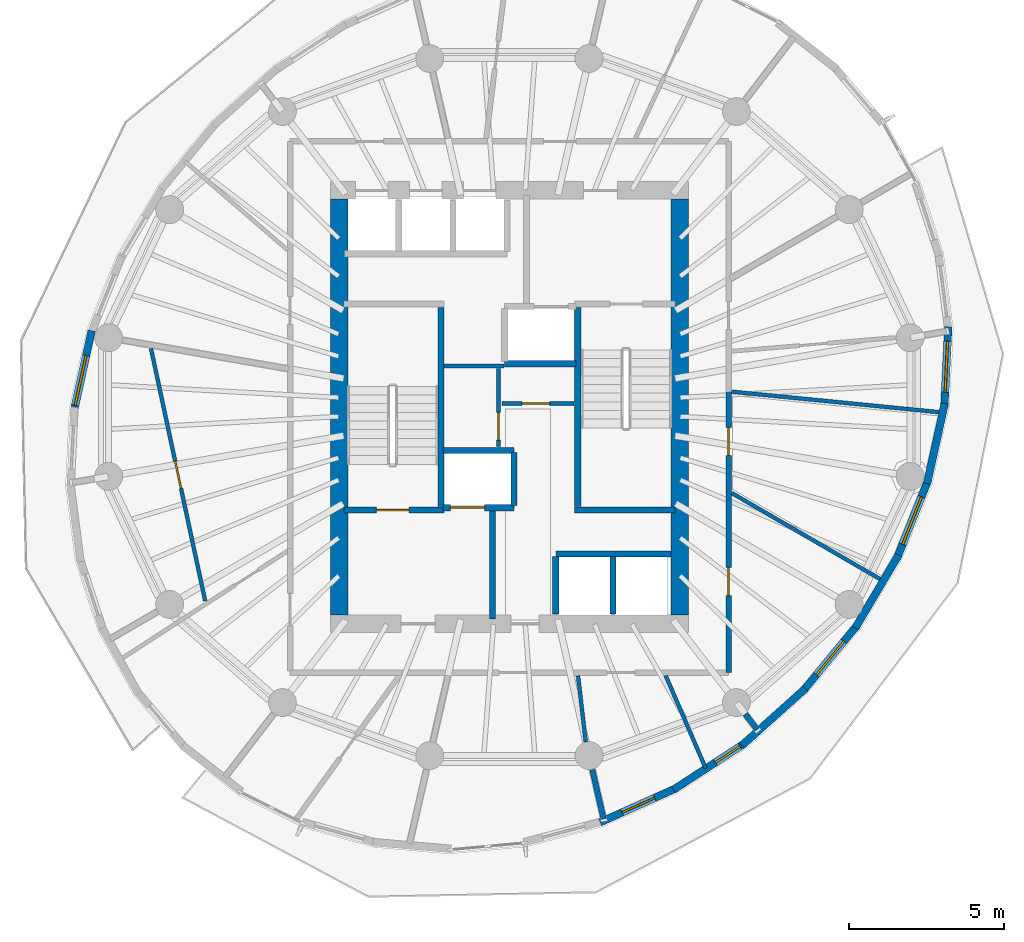
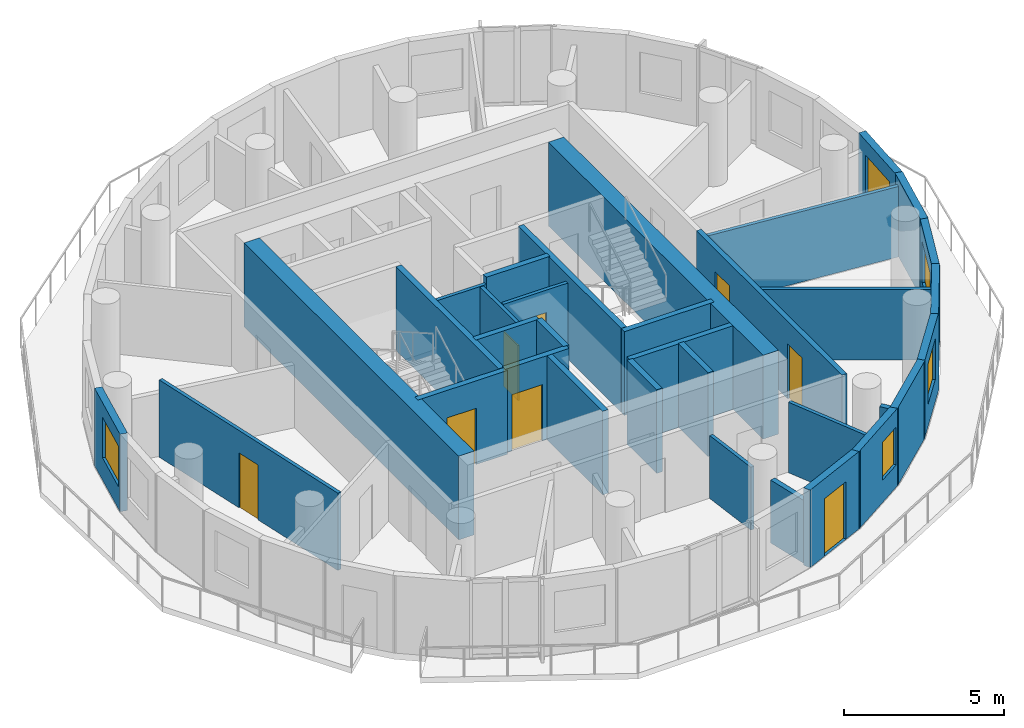
# One storey, part 5 of 10: 34 walls, 8 doors, 5 windows, 13 openings.
"""IFC4 building model written with IfcOpenShell, lengths in metres."""

import ifcopenshell
import ifcopenshell.guid

model = None  # the IFC model being written
_history = None  # IfcOwnerHistory: only IFC2X3 demands one
_inside = {}  # id of a spatial element -> (the spatial element, [elements in it])
_under = {}  # id of a project, library or spatial element -> (it, [spatial elements below it])
_declared = {}  # id of a project -> (the project, [libraries it declares])
_typed = {}  # id of a type object -> (the type object, [elements of that type])
_made_of = {}  # id of a material, layer set ... -> (it, [elements and type objects made of it])


def new_model(schema):
    """Start an empty IFC model of exactly this schema.

    Asked for "IFC4X3", IfcOpenShell would pick the latest addendum, in which some entities
    have other attributes; the version numbers below select the first issue.
    IFC2X3 requires an IfcOwnerHistory on every rooted entity: one is made here for all.
    """
    global model, _history
    if schema == "IFC4X3":
        model = ifcopenshell.file(schema_version=(4, 3, 0, 0))
    else:
        model = ifcopenshell.file(schema=schema)
    _inside.clear()
    _under.clear()
    _declared.clear()
    _typed.clear()
    _made_of.clear()
    _history = None
    if model.schema == "IFC2X3":
        org = make("IfcOrganization", Name="unknown")
        user = make(
            "IfcPersonAndOrganization",
            ThePerson=make("IfcPerson", FamilyName="unknown"),
            TheOrganization=org,
        )
        app = make(
            "IfcApplication",
            ApplicationDeveloper=org,
            Version="unknown",
            ApplicationFullName="unknown",
            ApplicationIdentifier="unknown",
        )
        _history = make(
            "IfcOwnerHistory",
            OwningUser=user,
            OwningApplication=app,
            ChangeAction="ADDED",
            CreationDate=0,
        )
    return model


def make(cls, **values):
    """One entity of the class cls with the attributes given. An attribute that is None is left unset."""
    return model.create_entity(
        cls, **{name: value for name, value in values.items() if value is not None}
    )


def rooted(cls, **values):
    """An entity with a GlobalId (a new one), such as an element, a storey or a relation."""
    return make(cls, GlobalId=ifcopenshell.guid.new(), OwnerHistory=_history, **values)


def si_unit(unit_type, name, prefix=None):
    """IfcSIUnit, for example si_unit("LENGTHUNIT", "METRE", prefix="MILLI")."""
    return make("IfcSIUnit", UnitType=unit_type, Prefix=prefix, Name=name)


def assignment(units):
    """IfcUnitAssignment: the units of a project."""
    return None if units is None else make("IfcUnitAssignment", Units=units)


def point(xyz):
    """IfcCartesianPoint."""
    return None if xyz is None else make("IfcCartesianPoint", Coordinates=xyz)


def direction(xyz):
    """IfcDirection."""
    return None if xyz is None else make("IfcDirection", DirectionRatios=xyz)


def frame(location, z_axis=None, x_axis=None):
    """IfcAxis2Placement3D, a coordinate frame: its origin and axes. An axis left out is left unset."""
    return make(
        "IfcAxis2Placement3D",
        Location=point(location),
        Axis=direction(z_axis),
        RefDirection=direction(x_axis),
    )


def frame_2d(location, x_axis=None):
    """IfcAxis2Placement2D, a coordinate frame in the plane: its origin and x axis."""
    return make(
        "IfcAxis2Placement2D", Location=point(location), RefDirection=direction(x_axis)
    )


def origin():
    """The frame at (0, 0, 0) with its axes left unset."""
    return frame((0.0, 0.0, 0.0))


def place(relative_to, where):
    """IfcLocalPlacement: puts the frame where relative to a parent placement (None: the world)."""
    return make(
        "IfcLocalPlacement", PlacementRelTo=relative_to, RelativePlacement=where
    )


def context(
    kind, dimensions, precision=None, world=None, true_north=None, identifier=None
):
    """IfcGeometricRepresentationContext, for example the 3D "Model" context."""
    return make(
        "IfcGeometricRepresentationContext",
        ContextIdentifier=identifier,
        ContextType=kind,
        CoordinateSpaceDimension=dimensions,
        Precision=precision,
        WorldCoordinateSystem=world,
        TrueNorth=true_north,
    )


def subcontext(parent, identifier, kind, view, scale=None):
    """IfcGeometricRepresentationSubContext, for example "Body" below "Model"."""
    return make(
        "IfcGeometricRepresentationSubContext",
        ContextIdentifier=identifier,
        ContextType=kind,
        ParentContext=parent,
        TargetScale=scale,
        TargetView=view,
    )


def project(units=None, contexts=None):
    """IfcProject with its units and contexts."""
    return rooted(
        "IfcProject",
        Name="project",
        RepresentationContexts=contexts,
        UnitsInContext=assignment(units),
    )


def spatial(cls, under=None, at=None, **own):
    """A site, building, storey or space (cls), placed at a placement, below another one or the project."""
    s = rooted(cls, ObjectPlacement=at, **own)
    if under is not None:
        _under.setdefault(under.id(), (under, []))[1].append(s)
    return s


def profile(cls, at=None, kind="AREA", **sizes):
    """A parametric profile (cls). Its sizes go by their IFC names, for example OverallWidth=200.0."""
    return make(cls, ProfileType=kind, Position=at, **sizes)


def rectangle(**sizes):
    """IfcRectangleProfileDef."""
    return profile("IfcRectangleProfileDef", **sizes)


def extrude(swept, where, along, depth):
    """IfcExtrudedAreaSolid: the profile swept, set in the frame where, extruded along a direction by depth."""
    return make(
        "IfcExtrudedAreaSolid",
        SweptArea=swept,
        Position=where,
        ExtrudedDirection=direction(along),
        Depth=depth,
    )


def shape(context_of_items, identifier, shape_type, items):
    """IfcShapeRepresentation: the items that make up one representation, for example the "Body"."""
    return make(
        "IfcShapeRepresentation",
        ContextOfItems=context_of_items,
        RepresentationIdentifier=identifier,
        RepresentationType=shape_type,
        Items=items,
    )


def material(Name=None, Category=None):
    """IfcMaterial."""
    return make("IfcMaterial", Name=Name, Category=Category)


def layer(
    of_material, thickness, ventilated=None, Name=None, Category=None, Priority=None
):
    """IfcMaterialLayer: one layer of a wall or slab, of a material (None: an air gap)."""
    return make(
        "IfcMaterialLayer",
        Material=of_material,
        LayerThickness=thickness,
        IsVentilated=ventilated,
        Name=Name,
        Category=Category,
        Priority=Priority,
    )


def layer_set(layers, Name=None):
    """IfcMaterialLayerSet."""
    return make("IfcMaterialLayerSet", MaterialLayers=layers, LayerSetName=Name)


def made_of(thing, what):
    """Note that an element or type object is made of a material, layer set ...; save() writes the relation."""
    if what is not None:
        _made_of.setdefault(what.id(), (what, []))[1].append(thing)
    return thing


def type_object(cls, material=None, **own):
    """A type object (cls), such as IfcWallType, which elements share."""
    return made_of(rooted(cls, **own), material)


def element(
    cls,
    number,
    at=None,
    inside=None,
    cuts=None,
    type_object=None,
    material=None,
    context=None,
    identifier="Body",
    shape_type=None,
    held_by="IfcProductDefinitionShape",
    body=None,
    shapes=None,
    **own,
):
    """One element of the class cls, such as IfcWall. Its Tag is "e" and its number.

    at: its placement. inside: the storey or other place that contains it. cuts: it is an
    opening in that element (IfcRelVoidsElement). A single representation is given by context,
    identifier, shape_type and body (its items); several are given by shapes. held_by: the class
    of the entity that holds the representations. save() writes the other relations.
    """
    e = rooted(cls, Tag="e%d" % number, ObjectPlacement=at, **own)
    if body is not None:
        shapes = [shape(context, identifier, shape_type, body)]
    if shapes is not None:
        e.Representation = make(held_by, Representations=shapes)
    if inside is not None:
        _inside.setdefault(inside.id(), (inside, []))[1].append(e)
    if cuts is not None:
        rooted(
            "IfcRelVoidsElement", RelatingBuildingElement=cuts, RelatedOpeningElement=e
        )
    if type_object is not None:
        _typed.setdefault(type_object.id(), (type_object, []))[1].append(e)
    return made_of(e, material)


def fill(opening, filler):
    """IfcRelFillsElement: the door or window that sits in an opening."""
    return rooted(
        "IfcRelFillsElement",
        RelatingOpeningElement=opening,
        RelatedBuildingElement=filler,
    )


def aggregate(whole, parts):
    """IfcRelAggregates: a whole, such as a stair, and the parts it consists of."""
    return rooted("IfcRelAggregates", RelatingObject=whole, RelatedObjects=parts)


def save(model, path):
    """Write the relations noted so far, then the file.

    IfcRelAggregates (storeys below a building ...), IfcRelContainedInSpatialStructure (elements
    in a storey), IfcRelDefinesByType, IfcRelAssociatesMaterial and IfcRelDeclares: one each for
    every whole, place, type object, material and project.
    """
    for whole, parts in _under.values():
        aggregate(whole, parts)
    for where, things in _inside.values():
        rooted(
            "IfcRelContainedInSpatialStructure",
            RelatedElements=things,
            RelatingStructure=where,
        )
    for kind, things in _typed.values():
        rooted("IfcRelDefinesByType", RelatedObjects=things, RelatingType=kind)
    for what, things in _made_of.values():
        rooted("IfcRelAssociatesMaterial", RelatedObjects=things, RelatingMaterial=what)
    for by, libraries in _declared.values():
        rooted("IfcRelDeclares", RelatingContext=by, RelatedDefinitions=libraries)
    model.write(path)


model = new_model("IFC4")

# Units and contexts
model_context = context("Model", 3, precision=1e-05, world=origin(), true_north=direction((0.0, 1.0)))
body_context = subcontext(model_context, "Body", "Model", "MODEL_VIEW")
ifc_project = project(units=[si_unit("LENGTHUNIT", "METRE"), si_unit("AREAUNIT", "SQUARE_METRE"), si_unit("VOLUMEUNIT", "CUBIC_METRE"), si_unit("PLANEANGLEUNIT", "RADIAN"), si_unit("MASSUNIT", "GRAM", prefix="KILO")], contexts=[model_context])

# Site, building, storey
site_placement = place(None, origin())
site = spatial("IfcSite", under=ifc_project, at=site_placement, CompositionType="ELEMENT")
building_placement = place(site_placement, origin())
building = spatial("IfcBuilding", under=site, at=building_placement, Name="Veldorim Arch Residences", CompositionType="ELEMENT")
storey_placement = place(building_placement, frame((0.0, 0.0, 185.43994140625)))
storey = spatial("IfcBuildingStorey", under=building, at=storey_placement, Name="L55", CompositionType="ELEMENT", Elevation=185.43994140625)

# Wall, opening, door
ifc_material_1 = material(Name="Acoustic Gypsum Board", Category="gypsum")
ifc_layer_1 = layer(ifc_material_1, 0.125, Name="Acoustic Stud Room Partition Wall 125")
ifc_layer_set_1 = layer_set([ifc_layer_1], Name="Acoustic Gypsum Board")
wall_type_1 = type_object("IfcWallType", Name="Acoustic Stud Room Partition Wall 125", PredefinedType="PARTITIONING", material=ifc_layer_set_1)
wall_1_placement = place(storey_placement, frame((31.64990234375, 22.719970703125, 0.0), z_axis=(0.0, 0.0, 1.0), x_axis=(0.0, 1.0, 0.0)))
wall_1 = element("IfcWall", 1, at=wall_1_placement, inside=storey, type_object=wall_type_1, Name="L55 interior wall WL-CA-L55-1", PredefinedType="PARTITIONING", context=body_context, shape_type="SweptSolid", body=[
    extrude(rectangle(XDim=2.52001953125, YDim=0.125, at=frame_2d((1.260009765625, 0.0))), origin(), (0.0, 0.0, 1.0), 2.955078125),
])
opening_1_placement = place(wall_1_placement, frame((0.2099609375, 0.0, 0.0)))
opening_1 = element("IfcOpeningElement", 2, at=opening_1_placement, cuts=wall_1, Name="Opening DR-SVC", PredefinedType="OPENING", context=body_context, shape_type="SweptSolid", body=[
    extrude(rectangle(XDim=0.89990234375, YDim=2.10009765625, at=frame_2d((0.449951171875, 1.050048828125))), frame((0.0, 0.072509765625, 0.0), z_axis=(0.0, -1.0, 0.0), x_axis=(1.0, 0.0, 0.0)), (0.0, 0.0, 1.0), 0.14501953125),
])
ifc_material_2 = material(Name="Fire-Rated Steel", Category="steel")
door_type_1 = type_object("IfcDoorType", Name="Riser, Shelter & Plant Room Rated Steel Door 900x2100", OperationType="SINGLE_SWING_LEFT", PredefinedType="DOOR", material=ifc_material_2)
door_1_placement = place(opening_1_placement, origin())
door_1 = element("IfcDoor", 3, at=door_1_placement, inside=storey, type_object=door_type_1, Name="L55 interior door DR-L55-CA1", OperationType="SINGLE_SWING_LEFT", OverallHeight=2.10009765625, OverallWidth=0.89990234375, PredefinedType="DOOR", context=body_context, shape_type="SweptSolid", body=[
    extrude(rectangle(XDim=0.89990234375, YDim=2.10009765625, at=frame_2d((0.449951171875, 1.050048828125))), frame((0.0, 0.02490234375, 0.0), z_axis=(0.0, -1.0, 0.0), x_axis=(1.0, 0.0, 0.0)), (0.0, 0.0, 1.0), 0.050048828125),
])
fill(opening_1, door_1)

wall_2_placement = place(storey_placement, frame((31.760009765625, 24.1201171875, 0.0), z_axis=(0.0, 0.0, 1.0), x_axis=(1.0, 0.0, 0.0)))
wall_2 = element("IfcWall", 4, at=wall_2_placement, inside=storey, type_object=wall_type_1, Name="L55 interior wall WL-CA-L55-2", PredefinedType="PARTITIONING", context=body_context, shape_type="SweptSolid", body=[
    extrude(rectangle(XDim=2.320068359375, YDim=0.125, at=frame_2d((1.16015625, 0.0))), origin(), (0.0, 0.0, 1.0), 2.955078125),
])
opening_2_placement = place(wall_2_placement, frame((0.639892578125, 0.0, 0.0)))
opening_2 = element("IfcOpeningElement", 5, at=opening_2_placement, cuts=wall_2, Name="Opening DR-SVC", PredefinedType="OPENING", context=body_context, shape_type="SweptSolid", body=[
    extrude(rectangle(XDim=0.89990234375, YDim=2.10009765625, at=frame_2d((0.449951171875, 1.050048828125))), frame((0.0, 0.072509765625, 0.0), z_axis=(0.0, -1.0, 0.0), x_axis=(1.0, 0.0, 0.0)), (0.0, 0.0, 1.0), 0.14501953125),
])
door_2_placement = place(opening_2_placement, origin())
door_2 = element("IfcDoor", 6, at=door_2_placement, inside=storey, type_object=door_type_1, Name="L55 interior door DR-L55-CA2", OperationType="SINGLE_SWING_RIGHT", OverallHeight=2.10009765625, OverallWidth=0.89990234375, PredefinedType="DOOR", context=body_context, shape_type="SweptSolid", body=[
    extrude(rectangle(XDim=0.89990234375, YDim=2.10009765625, at=frame_2d((0.449951171875, 1.050048828125))), frame((0.0, 0.02490234375, 0.0), z_axis=(0.0, -1.0, 0.0), x_axis=(1.0, 0.0, 0.0)), (0.0, 0.0, 1.0), 0.050048828125),
])
fill(opening_2, door_2)

# Walls
wall_3_placement = place(storey_placement, frame((29.889892578125, 25.330078125, 0.0), z_axis=(0.0, 0.0, 1.0), x_axis=(1.0, 0.0, 0.0)))
element("IfcWall", 7, at=wall_3_placement, inside=storey, type_object=wall_type_1, Name="L55 interior wall WL-CA-L55-N", PredefinedType="PARTITIONING", context=body_context, shape_type="SweptSolid", body=[
    extrude(rectangle(XDim=1.940185546875, YDim=0.125, at=frame_2d((0.97021484375, 0.0))), origin(), (0.0, 0.0, 1.0), 2.955078125),
])
wall_4_placement = place(storey_placement, frame((44.06591796875, 18.390380859375, 0.0), z_axis=(0.0, 0.0, 1.0), x_axis=(-0.865092390625, 0.501612555348, 0.0)))
element("IfcWall", 8, at=wall_4_placement, inside=storey, type_object=wall_type_1, Name="L55 interior wall WL-RES-L55-010", PredefinedType="PARTITIONING", context=body_context, shape_type="SweptSolid", body=[
    extrude(rectangle(XDim=5.643310546875, YDim=0.125, at=frame_2d((2.82177734375, 0.0))), origin(), (0.0, 0.0, 1.0), 2.692138671875),
])
wall_5_placement = place(storey_placement, frame((39.179443359375, 24.49658203125, 0.0), z_axis=(0.0, 0.0, 1.0), x_axis=(0.995152744832, -0.098341316102, 0.0)))
element("IfcWall", 9, at=wall_5_placement, inside=storey, type_object=wall_type_1, Name="L55 interior wall WL-RES-L55-011", PredefinedType="PARTITIONING", context=body_context, shape_type="SweptSolid", body=[
    extrude(rectangle(XDim=6.842041015625, YDim=0.125, at=frame_2d((3.4208984375, 0.0))), origin(), (0.0, 0.0, 1.0), 2.692138671875),
])
wall_6_placement = place(storey_placement, frame((38.341796875, 12.33056640625, 0.0), z_axis=(0.0, 0.0, 1.0), x_axis=(-0.396192482216, 0.918167477662, 0.0)))
element("IfcWall", 10, at=wall_6_placement, inside=storey, type_object=wall_type_1, Name="L55 interior wall WL-RES-L55-012", PredefinedType="PARTITIONING", context=body_context, shape_type="SweptSolid", body=[
    extrude(rectangle(XDim=3.2646484375, YDim=0.125, at=frame_2d((1.63232421875, 0.0))), origin(), (0.0, 0.0, 1.0), 2.692138671875),
])
wall_7_placement = place(storey_placement, frame((34.467041015625, 13.17578125, 0.0), z_axis=(0.0, 0.0, 1.0), x_axis=(-0.115430815868, 0.993315522253, 0.0)))
element("IfcWall", 11, at=wall_7_placement, inside=storey, type_object=wall_type_1, Name="L55 interior wall WL-RES-L55-013", PredefinedType="PARTITIONING", context=body_context, shape_type="SweptSolid", body=[
    extrude(rectangle(XDim=2.159423828125, YDim=0.125, at=frame_2d((1.07958984375, 0.0))), origin(), (0.0, 0.0, 1.0), 2.403564453125),
])

# Wall, opening, door
wall_8_placement = place(storey_placement, frame((22.173095703125, 17.73486328125, 0.0), z_axis=(0.0, 0.0, 1.0), x_axis=(-0.20987090056, 0.977729106194, 0.0)))
wall_8 = element("IfcWall", 12, at=wall_8_placement, inside=storey, type_object=wall_type_1, Name="L55 interior wall WL-RES-L55-022", PredefinedType="PARTITIONING", context=body_context, shape_type="SweptSolid", body=[
    extrude(rectangle(XDim=8.3408203125, YDim=0.125, at=frame_2d((4.17041015625, 0.0))), origin(), (0.0, 0.0, 1.0), 2.955078125),
])
opening_3_placement = place(wall_8_placement, frame((3.720458984375, 0.0, 0.0)))
opening_3 = element("IfcOpeningElement", 13, at=opening_3_placement, cuts=wall_8, Name="Opening DR-INT", PredefinedType="OPENING", context=body_context, shape_type="SweptSolid", body=[
    extrude(rectangle(XDim=0.89990234375, YDim=2.10009765625, at=frame_2d((0.449951171875, 1.050048828125))), frame((0.0, 0.072509765625, 0.0), z_axis=(0.0, -1.0, 0.0), x_axis=(1.0, 0.0, 0.0)), (0.0, 0.0, 1.0), 0.14501953125),
])
ifc_material_3 = material(Name="Engineered Timber", Category="wood")
door_type_2 = type_object("IfcDoorType", Name="Apartment Internal Room Timber Door 900x2100", OperationType="SINGLE_SWING_LEFT", PredefinedType="DOOR", material=ifc_material_3)
door_3_placement = place(opening_3_placement, origin())
door_3 = element("IfcDoor", 14, at=door_3_placement, inside=storey, type_object=door_type_2, Name="L55 interior door DR-RES-L55-015", OperationType="SINGLE_SWING_LEFT", OverallHeight=2.10009765625, OverallWidth=0.89990234375, PredefinedType="DOOR", context=body_context, shape_type="SweptSolid", body=[
    extrude(rectangle(XDim=0.89990234375, YDim=2.10009765625, at=frame_2d((0.449951171875, 1.050048828125))), frame((0.0, 0.02490234375, 0.0), z_axis=(0.0, -1.0, 0.0), x_axis=(1.0, 0.0, 0.0)), (0.0, 0.0, 1.0), 0.050048828125),
])
fill(opening_3, door_3)

# Walls
ifc_material_4 = material(Name="Lightweight Masonry Block & Gypsum", Category="masonry")
ifc_layer_2 = layer(ifc_material_4, 0.179931640625, Name="Compartment & Corridor Fire-Rated Party Wall 180")
ifc_layer_set_2 = layer_set([ifc_layer_2], Name="Lightweight Masonry Block & Gypsum")
wall_type_2 = type_object("IfcWallType", Name="Compartment & Corridor Fire-Rated Party Wall 180", PredefinedType="PARTITIONING", material=ifc_layer_set_2)
wall_9_placement = place(storey_placement, frame((34.679931640625, 12.282470703125, 0.0), z_axis=(0.0, 0.0, 1.0), x_axis=(0.222967107114, -0.974825968645, 0.0)))
element("IfcWall", 15, at=wall_9_placement, inside=storey, type_object=wall_type_2, Name="L55 interior wall WL-PIER-L55-13", PredefinedType="PARTITIONING", context=body_context, shape_type="SweptSolid", body=[
    extrude(rectangle(XDim=1.63037109375, YDim=0.179931640625, at=frame_2d((0.815185546875, 0.0))), origin(), (0.0, 0.0, 1.0), 2.403564453125),
])
wall_10_placement = place(storey_placement, frame((39.619873046875, 14.08203125, 0.0), z_axis=(0.0, 0.0, 1.0), x_axis=(0.609112888366, -0.793083532314, 0.0)))
element("IfcWall", 16, at=wall_10_placement, inside=storey, type_object=wall_type_2, Name="L55 interior wall WL-PIER-L55-14", PredefinedType="PARTITIONING", context=body_context, shape_type="SweptSolid", body=[
    extrude(rectangle(XDim=0.631591796875, YDim=0.179931640625, at=frame_2d((0.31591796875, 0.0))), origin(), (0.0, 0.0, 1.0), 2.403564453125),
])

# Wall, openings, doors
wall_11_placement = place(storey_placement, frame((39.080078125, 24.5263671875, 0.0), z_axis=(0.0, 0.0, 1.0), x_axis=(0.0, -1.0, 0.0)))
wall_11 = element("IfcWall", 17, at=wall_11_placement, inside=storey, type_object=wall_type_2, Name="L55 interior wall WL-RES-L55-002", PredefinedType="PARTITIONING", context=body_context, shape_type="SweptSolid", body=[
    extrude(rectangle(XDim=9.1064453125, YDim=0.179931640625, at=frame_2d((4.55322265625, 0.0))), origin(), (0.0, 0.0, 1.0), 2.955078125),
])
opening_4_placement = place(wall_11_placement, frame((1.183837890625, 0.0, 0.0)))
opening_4 = element("IfcOpeningElement", 18, at=opening_4_placement, cuts=wall_11, Name="Opening DR-INT", PredefinedType="OPENING", context=body_context, shape_type="SweptSolid", body=[
    extrude(rectangle(XDim=0.89990234375, YDim=2.10009765625, at=frame_2d((0.449951171875, 1.050048828125))), frame((0.0, 0.099853515625, 0.0), z_axis=(0.0, -1.0, 0.0), x_axis=(1.0, 0.0, 0.0)), (0.0, 0.0, 1.0), 0.199951171875),
])
opening_5_placement = place(wall_11_placement, frame((5.715576171875, 0.0, 0.0)))
opening_5 = element("IfcOpeningElement", 19, at=opening_5_placement, cuts=wall_11, Name="Opening DR-INT", PredefinedType="OPENING", context=body_context, shape_type="SweptSolid", body=[
    extrude(rectangle(XDim=0.89990234375, YDim=2.10009765625, at=frame_2d((0.449951171875, 1.050048828125))), frame((0.0, 0.099853515625, 0.0), z_axis=(0.0, -1.0, 0.0), x_axis=(1.0, 0.0, 0.0)), (0.0, 0.0, 1.0), 0.199951171875),
])
door_4_placement = place(opening_4_placement, origin())
door_4 = element("IfcDoor", 20, at=door_4_placement, inside=storey, type_object=door_type_2, Name="L55 interior door DR-RES-L55-002", OperationType="SINGLE_SWING_RIGHT", OverallHeight=2.10009765625, OverallWidth=0.89990234375, PredefinedType="DOOR", context=body_context, shape_type="SweptSolid", body=[
    extrude(rectangle(XDim=0.89990234375, YDim=2.10009765625, at=frame_2d((0.449951171875, 1.050048828125))), frame((0.0, 0.02490234375, 0.0), z_axis=(0.0, -1.0, 0.0), x_axis=(1.0, 0.0, 0.0)), (0.0, 0.0, 1.0), 0.050048828125),
])
fill(opening_4, door_4)
door_5_placement = place(opening_5_placement, origin())
door_5 = element("IfcDoor", 21, at=door_5_placement, inside=storey, type_object=door_type_2, Name="L55 interior door DR-RES-L55-003", OperationType="SINGLE_SWING_LEFT", OverallHeight=2.10009765625, OverallWidth=0.89990234375, PredefinedType="DOOR", context=body_context, shape_type="SweptSolid", body=[
    extrude(rectangle(XDim=0.89990234375, YDim=2.10009765625, at=frame_2d((0.449951171875, 1.050048828125))), frame((0.0, 0.02490234375, 0.0), z_axis=(0.0, -1.0, 0.0), x_axis=(1.0, 0.0, 0.0)), (0.0, 0.0, 1.0), 0.050048828125),
])
fill(opening_5, door_5)

# Wall
ifc_material_5 = material(Name="Concrete C50/60", Category="concrete")
ifc_layer_3 = layer(ifc_material_5, 0.199951171875, Name="Core Stair & Lift Shaft Enclosure Wall 200")
ifc_layer_set_3 = layer_set([ifc_layer_3], Name="Concrete C50/60")
wall_type_3 = type_object("IfcWallType", Name="Core Stair & Lift Shaft Enclosure Wall 200", PredefinedType="SHEAR", material=ifc_layer_set_3)
wall_12_placement = place(storey_placement, frame((29.7900390625, 20.780029296875, 0.0), z_axis=(0.0, 0.0, 1.0), x_axis=(0.0, 1.0, 0.0)))
element("IfcWall", 22, at=wall_12_placement, inside=storey, type_object=wall_type_3, Name="L55 shaft wall WL-SHF-L55-ST1-E", PredefinedType="SHEAR", context=body_context, shape_type="SweptSolid", body=[
    extrude(rectangle(XDim=6.43994140625, YDim=0.199951171875, at=frame_2d((3.219970703125, 0.0))), origin(), (0.0, 0.0, 1.0), 3.199951171875),
])

# Wall, opening, door
wall_13_placement = place(storey_placement, frame((26.64990234375, 20.669921875, 0.0), z_axis=(0.0, 0.0, 1.0), x_axis=(1.0, 0.0, 0.0)))
wall_13 = element("IfcWall", 23, at=wall_13_placement, inside=storey, type_object=wall_type_3, Name="L55 shaft wall WL-SHF-L55-ST1-S", PredefinedType="SHEAR", context=body_context, shape_type="SweptSolid", body=[
    extrude(rectangle(XDim=3.239990234375, YDim=0.199951171875, at=frame_2d((1.6201171875, 0.0))), origin(), (0.0, 0.0, 1.0), 3.199951171875),
])
opening_6_placement = place(wall_13_placement, frame((1.054931640625, 0.0, 0.0)))
opening_6 = element("IfcOpeningElement", 24, at=opening_6_placement, cuts=wall_13, Name="Opening DR-ST", PredefinedType="OPENING", context=body_context, shape_type="SweptSolid", body=[
    extrude(rectangle(XDim=1.050048828125, YDim=2.14990234375, at=frame_2d((0.52490234375, 1.074951171875))), frame((0.0, 0.10986328125, 0.0), z_axis=(0.0, -1.0, 0.0), x_axis=(1.0, 0.0, 0.0)), (0.0, 0.0, 1.0), 0.219970703125),
])
ifc_material_6 = material(Name="Fire-Rated Steel", Category="steel")
door_type_3 = type_object("IfcDoorType", Name="Exit Staircase Self-Closing Fire Door 1050x2150", OperationType="SINGLE_SWING_LEFT", PredefinedType="DOOR", material=ifc_material_6)
door_6_placement = place(opening_6_placement, origin())
door_6 = element("IfcDoor", 25, at=door_6_placement, inside=storey, type_object=door_type_3, Name="L55 interior door DR-L55-ST1", OperationType="SINGLE_SWING_LEFT", OverallHeight=2.14990234375, OverallWidth=1.050048828125, PredefinedType="DOOR", context=body_context, shape_type="SweptSolid", body=[
    extrude(rectangle(XDim=1.050048828125, YDim=2.14990234375, at=frame_2d((0.52490234375, 1.074951171875))), frame((0.0, 0.02490234375, 0.0), z_axis=(0.0, -1.0, 0.0), x_axis=(1.0, 0.0, 0.0)), (0.0, 0.0, 1.0), 0.050048828125),
])
fill(opening_6, door_6)

# Walls
wall_14_placement = place(storey_placement, frame((34.2099609375, 20.780029296875, 0.0), z_axis=(0.0, 0.0, 1.0), x_axis=(0.0, 1.0, 0.0)))
element("IfcWall", 26, at=wall_14_placement, inside=storey, type_object=wall_type_3, Name="L55 shaft wall WL-SHF-L55-ST2-W", PredefinedType="SHEAR", context=body_context, shape_type="SweptSolid", body=[
    extrude(rectangle(XDim=6.43994140625, YDim=0.199951171875, at=frame_2d((3.219970703125, 0.0))), origin(), (0.0, 0.0, 1.0), 3.199951171875),
])
wall_15_placement = place(storey_placement, frame((34.110107421875, 20.669921875, 0.0), z_axis=(0.0, 0.0, 1.0), x_axis=(1.0, 0.0, 0.0)))
element("IfcWall", 27, at=wall_15_placement, inside=storey, type_object=wall_type_3, Name="L55 shaft wall WL-SHF-L55-ST2-S", PredefinedType="SHEAR", context=body_context, shape_type="SweptSolid", body=[
    extrude(rectangle(XDim=3.239990234375, YDim=0.199951171875, at=frame_2d((1.6201171875, 0.0))), origin(), (0.0, 0.0, 1.0), 3.199951171875),
])
wall_16_placement = place(storey_placement, frame((31.449951171875, 17.14990234375, 0.0), z_axis=(0.0, 0.0, 1.0), x_axis=(0.0, 1.0, 0.0)))
element("IfcWall", 28, at=wall_16_placement, inside=storey, type_object=wall_type_3, Name="L55 shaft wall WL-FFL1-L55-E", PredefinedType="SHEAR", context=body_context, shape_type="SweptSolid", body=[
    extrude(rectangle(XDim=3.5, YDim=0.199951171875, at=frame_2d((1.75, 0.0))), origin(), (0.0, 0.0, 1.0), 3.199951171875),
])

# Wall, opening, door
wall_17_placement = place(storey_placement, frame((29.85009765625, 20.75, 0.0), z_axis=(0.0, 0.0, 1.0), x_axis=(1.0, 0.0, 0.0)))
wall_17 = element("IfcWall", 29, at=wall_17_placement, inside=storey, type_object=wall_type_3, Name="L55 shaft wall WL-FL01-L55-S", PredefinedType="SHEAR", context=body_context, shape_type="SweptSolid", body=[
    extrude(rectangle(XDim=2.2998046875, YDim=0.199951171875, at=frame_2d((1.14990234375, 0.0))), origin(), (0.0, 0.0, 1.0), 3.199951171875),
])
opening_7_placement = place(wall_17_placement, frame((0.25, 0.0, 0.0)))
opening_7 = element("IfcOpeningElement", 30, at=opening_7_placement, cuts=wall_17, Name="Opening LD-FF", PredefinedType="OPENING", context=body_context, shape_type="SweptSolid", body=[
    extrude(rectangle(XDim=1.10009765625, YDim=2.14990234375, at=frame_2d((0.550048828125, 1.074951171875))), frame((0.0, 0.10986328125, 0.0), z_axis=(0.0, -1.0, 0.0), x_axis=(1.0, 0.0, 0.0)), (0.0, 0.0, 1.0), 0.219970703125),
])
ifc_material_7 = material(Name="Stainless Steel", Category="steel")
door_type_4 = type_object("IfcDoorType", Name="Firefighting Lift Bi-Parting Sliding Landing Door 1100x2150", OperationType="DOUBLE_DOOR_SLIDING", PredefinedType="DOOR", material=ifc_material_7)
door_7_placement = place(opening_7_placement, origin())
door_7 = element("IfcDoor", 31, at=door_7_placement, inside=storey, type_object=door_type_4, Name="L55 lift landing door LD-L55-FL01", OperationType="DOUBLE_DOOR_SLIDING", OverallHeight=2.14990234375, OverallWidth=1.10009765625, PredefinedType="DOOR", context=body_context, shape_type="SweptSolid", body=[
    extrude(rectangle(XDim=1.10009765625, YDim=2.14990234375, at=frame_2d((0.550048828125, 1.074951171875))), frame((0.0, 0.02490234375, 0.0), z_axis=(0.0, -1.0, 0.0), x_axis=(1.0, 0.0, 0.0)), (0.0, 0.0, 1.0), 0.050048828125),
])
fill(opening_7, door_7)

# Walls
wall_18_placement = place(storey_placement, frame((29.85009765625, 22.60009765625, 0.0), z_axis=(0.0, 0.0, 1.0), x_axis=(1.0, 0.0, 0.0)))
element("IfcWall", 32, at=wall_18_placement, inside=storey, type_object=wall_type_3, Name="L55 shaft wall WL-FL01-L55-N", PredefinedType="SHEAR", context=body_context, shape_type="SweptSolid", body=[
    extrude(rectangle(XDim=2.2998046875, YDim=0.199951171875, at=frame_2d((1.14990234375, 0.0))), origin(), (0.0, 0.0, 1.0), 3.199951171875),
])
wall_19_placement = place(storey_placement, frame((32.14990234375, 20.820068359375, 0.0), z_axis=(0.0, 0.0, 1.0), x_axis=(0.0, 1.0, 0.0)))
element("IfcWall", 33, at=wall_19_placement, inside=storey, type_object=wall_type_3, Name="L55 shaft wall WL-FL01-L55-E", PredefinedType="SHEAR", context=body_context, shape_type="SweptSolid", body=[
    extrude(rectangle(XDim=1.7099609375, YDim=0.199951171875, at=frame_2d((0.85498046875, 0.0))), origin(), (0.0, 0.0, 1.0), 3.199951171875),
])
wall_20_placement = place(storey_placement, frame((31.85009765625, 25.39990234375, 0.0), z_axis=(0.0, 0.0, 1.0), x_axis=(1.0, 0.0, 0.0)))
element("IfcWall", 34, at=wall_20_placement, inside=storey, type_object=wall_type_3, Name="L55 shaft wall WL-FL02-L55-S", PredefinedType="SHEAR", context=body_context, shape_type="SweptSolid", body=[
    extrude(rectangle(XDim=2.2998046875, YDim=0.199951171875, at=frame_2d((1.14990234375, 0.0))), origin(), (0.0, 0.0, 1.0), 3.199951171875),
])
wall_21_placement = place(storey_placement, frame((33.5, 19.25, 0.0), z_axis=(0.0, 0.0, 1.0), x_axis=(1.0, 0.0, 0.0)))
element("IfcWall", 35, at=wall_21_placement, inside=storey, type_object=wall_type_3, Name="L55 shaft wall WL-OL-L55-N", PredefinedType="SHEAR", context=body_context, shape_type="SweptSolid", body=[
    extrude(rectangle(XDim=3.719970703125, YDim=0.199951171875, at=frame_2d((1.85986328125, 0.0))), origin(), (0.0, 0.0, 1.0), 3.199951171875),
])
for number, where, z_axis, x_axis, name in (
    (36, (33.5, 17.320068359375, 0.0), (0.0, 0.0, 1.0), (0.0, 1.0, 0.0), "L55 shaft wall WL-OL-L55-W"),
    (37, (35.35009765625, 17.320068359375, 0.0), (0.0, 0.0, 1.0), (0.0, 1.0, 0.0), "L55 shaft wall WL-OL-L55-D1"),
):
    element("IfcWall", number, at=place(storey_placement, frame(where, z_axis=z_axis, x_axis=x_axis)), inside=storey, type_object=wall_type_3, Name=name, PredefinedType="SHEAR", context=body_context, shape_type="SweptSolid", body=[
        extrude(rectangle(XDim=1.85986328125, YDim=0.199951171875, at=frame_2d((0.929931640625, 0.0))), origin(), (0.0, 0.0, 1.0), 3.199951171875),
    ])

# Wall, opening, window
ifc_material_8 = material(Name="Precast concrete C40/50", Category="concrete")
ifc_layer_4 = layer(ifc_material_8, 0.25, Name="Tower Terracotta Spandrel & Pier Wall 250")
ifc_layer_set_4 = layer_set([ifc_layer_4], Name="Precast concrete C40/50")
wall_type_4 = type_object("IfcWallType", Name="Tower Terracotta Spandrel & Pier Wall 250", PredefinedType="SOLIDWALL", material=ifc_layer_set_4)
wall_22_placement = place(storey_placement, frame((17.931884765625, 23.884033203125, 0.0), z_axis=(0.0, 0.0, 1.0), x_axis=(0.215877166516, 0.976420528756, 0.0)))
wall_22 = element("IfcWall", 38, at=wall_22_placement, inside=storey, type_object=wall_type_4, Name="L55 terracotta facade wall 13", PredefinedType="SOLIDWALL", context=body_context, shape_type="SweptSolid", body=[
    extrude(rectangle(XDim=2.65087890625, YDim=0.25, at=frame_2d((1.325439453125, 0.0))), origin(), (0.0, 0.0, 1.0), 2.9599609375),
])
opening_8_placement = place(wall_22_placement, frame((0.175048828125, 0.0, 0.85009765625)))
opening_8 = element("IfcOpeningElement", 39, at=opening_8_placement, cuts=wall_22, Name="Opening WN-03", PredefinedType="OPENING", context=body_context, shape_type="SweptSolid", body=[
    extrude(rectangle(XDim=1.64990234375, YDim=1.550048828125, at=frame_2d((0.824951171875, 0.77490234375))), frame((0.0, 0.135009765625, 0.0), z_axis=(0.0, -1.0, 0.0), x_axis=(1.0, 0.0, 0.0)), (0.0, 0.0, 1.0), 0.27001953125),
])
ifc_material_9 = material(Name="Laminated Low-E Glass", Category="glass")
window_type_1 = type_object("IfcWindowType", Name="Residential Wide Window 1650x1550", PartitioningType="SINGLE_PANEL", PredefinedType="WINDOW", material=ifc_material_9)
window_1_placement = place(opening_8_placement, origin())
window_1 = element("IfcWindow", 40, at=window_1_placement, inside=storey, type_object=window_type_1, Name="L55 solar-control facade window 13", OverallHeight=1.550048828125, OverallWidth=1.64990234375, PartitioningType="SINGLE_PANEL", PredefinedType="WINDOW", context=body_context, shape_type="SweptSolid", body=[
    extrude(rectangle(XDim=1.64990234375, YDim=1.550048828125, at=frame_2d((0.824951171875, 0.77490234375))), frame((0.0, 0.030029296875, 0.0), z_axis=(0.0, -1.0, 0.0), x_axis=(1.0, 0.0, 0.0)), (0.0, 0.0, 1.0), 0.06005859375),
])
fill(opening_8, window_1)

# Wall, opening, door
wall_23_placement = place(storey_placement, frame((37.3974609375, 11.687255859375, 0.0), z_axis=(0.0, 0.0, 1.0), x_axis=(-0.912615139532, -0.408819773368, 0.0)))
wall_23 = element("IfcWall", 41, at=wall_23_placement, inside=storey, type_object=wall_type_4, Name="L55 terracotta facade wall 25", PredefinedType="SOLIDWALL", context=body_context, shape_type="SweptSolid", body=[
    extrude(rectangle(XDim=2.70166015625, YDim=0.25, at=frame_2d((1.350830078125, 0.0))), origin(), (0.0, 0.0, 1.0), 2.9599609375),
])
opening_9_placement = place(wall_23_placement, frame((0.77587890625, 0.0, 0.0)))
opening_9 = element("IfcOpeningElement", 42, at=opening_9_placement, cuts=wall_23, Name="Opening BL-DR", PredefinedType="OPENING", context=body_context, shape_type="SweptSolid", body=[
    extrude(rectangle(XDim=1.14990234375, YDim=2.199951171875, at=frame_2d((0.574951171875, 1.10009765625))), frame((0.0, 0.135009765625, 0.0), z_axis=(0.0, -1.0, 0.0), x_axis=(1.0, 0.0, 0.0)), (0.0, 0.0, 1.0), 0.27001953125),
])
ifc_material_10 = material(Name="Aluminium & Low-E Glass", Category="aluminium")
door_type_5 = type_object("IfcDoorType", Name="Glazed Planted Balcony Door 1150x2200", OperationType="SINGLE_SWING_LEFT", PredefinedType="DOOR", material=ifc_material_10)
door_8_placement = place(opening_9_placement, origin())
door_8 = element("IfcDoor", 43, at=door_8_placement, inside=storey, type_object=door_type_5, Name="L55 glazed outdoor terrace door BALC-2", OperationType="SINGLE_SWING_LEFT", OverallHeight=2.199951171875, OverallWidth=1.14990234375, PredefinedType="DOOR", context=body_context, shape_type="SweptSolid", body=[
    extrude(rectangle(XDim=1.14990234375, YDim=2.199951171875, at=frame_2d((0.574951171875, 1.10009765625))), frame((0.0, 0.02490234375, 0.0), z_axis=(0.0, -1.0, 0.0), x_axis=(1.0, 0.0, 0.0)), (0.0, 0.0, 1.0), 0.050048828125),
])
fill(opening_9, door_8)

# Wall, opening, window
wall_24_placement = place(storey_placement, frame((39.595947265625, 13.1298828125, 0.0), z_axis=(0.0, 0.0, 1.0), x_axis=(-0.837860586987, -0.545884270496, 0.0)))
wall_24 = element("IfcWall", 44, at=wall_24_placement, inside=storey, type_object=wall_type_4, Name="L55 terracotta facade wall 26", PredefinedType="SOLIDWALL", context=body_context, shape_type="SweptSolid", body=[
    extrude(rectangle(XDim=2.738525390625, YDim=0.25, at=frame_2d((1.369140625, 0.0))), origin(), (0.0, 0.0, 1.0), 2.9599609375),
])
opening_10_placement = place(wall_24_placement, frame((0.175048828125, 0.0, 0.85009765625)))
opening_10 = element("IfcOpeningElement", 45, at=opening_10_placement, cuts=wall_24, Name="Opening WN-05", PredefinedType="OPENING", context=body_context, shape_type="SweptSolid", body=[
    extrude(rectangle(XDim=0.949951171875, YDim=1.449951171875, at=frame_2d((0.47509765625, 0.72509765625))), frame((0.0, 0.135009765625, 0.0), z_axis=(0.0, -1.0, 0.0), x_axis=(1.0, 0.0, 0.0)), (0.0, 0.0, 1.0), 0.27001953125),
])
ifc_material_11 = material(Name="Laminated Low-E Glass", Category="glass")
window_type_2 = type_object("IfcWindowType", Name="Residential Compact Casement Window 950x1450", PartitioningType="SINGLE_PANEL", PredefinedType="WINDOW", material=ifc_material_11)
window_2_placement = place(opening_10_placement, origin())
window_2 = element("IfcWindow", 46, at=window_2_placement, inside=storey, type_object=window_type_2, Name="L55 solar-control facade window 26", OverallHeight=1.449951171875, OverallWidth=0.949951171875, PartitioningType="SINGLE_PANEL", PredefinedType="WINDOW", context=body_context, shape_type="SweptSolid", body=[
    extrude(rectangle(XDim=0.949951171875, YDim=1.449951171875, at=frame_2d((0.47509765625, 0.72509765625))), frame((0.0, 0.030029296875, 0.0), z_axis=(0.0, -1.0, 0.0), x_axis=(1.0, 0.0, 0.0)), (0.0, 0.0, 1.0), 0.06005859375),
])
fill(opening_10, window_2)

# Wall
wall_25_placement = place(storey_placement, frame((41.56396484375, 14.90380859375, 0.0), z_axis=(0.0, 0.0, 1.0), x_axis=(-0.744898573364, -0.667177723998, 0.0)))
element("IfcWall", 47, at=wall_25_placement, inside=storey, type_object=wall_type_4, Name="L55 terracotta facade wall 27", PredefinedType="SOLIDWALL", context=body_context, shape_type="SweptSolid", body=[
    extrude(rectangle(XDim=2.758056640625, YDim=0.25, at=frame_2d((1.37890625, 0.0))), origin(), (0.0, 0.0, 1.0), 2.9599609375),
])

# Wall, opening, window
wall_26_placement = place(storey_placement, frame((43.2412109375, 16.955078125, 0.0), z_axis=(0.0, 0.0, 1.0), x_axis=(-0.635409334306, -0.772175483861, 0.0)))
wall_26 = element("IfcWall", 48, at=wall_26_placement, inside=storey, type_object=wall_type_4, Name="L55 terracotta facade wall 28", PredefinedType="SOLIDWALL", context=body_context, shape_type="SweptSolid", body=[
    extrude(rectangle(XDim=2.758056640625, YDim=0.25, at=frame_2d((1.37890625, 0.0))), origin(), (0.0, 0.0, 1.0), 2.9599609375),
])
opening_11_placement = place(wall_26_placement, frame((0.678955078125, 0.0, 0.85009765625)))
opening_11 = element("IfcOpeningElement", 49, at=opening_11_placement, cuts=wall_26, Name="Opening WN-02", PredefinedType="OPENING", context=body_context, shape_type="SweptSolid", body=[
    extrude(rectangle(XDim=1.39990234375, YDim=1.550048828125, at=frame_2d((0.699951171875, 0.77490234375))), frame((0.0, 0.135009765625, 0.0), z_axis=(0.0, -1.0, 0.0), x_axis=(1.0, 0.0, 0.0)), (0.0, 0.0, 1.0), 0.27001953125),
])
ifc_material_12 = material(Name="Laminated Low-E Glass", Category="glass")
window_type_3 = type_object("IfcWindowType", Name="Residential Casement Window 1400x1550", PartitioningType="SINGLE_PANEL", PredefinedType="WINDOW", material=ifc_material_12)
window_3_placement = place(opening_11_placement, origin())
window_3 = element("IfcWindow", 50, at=window_3_placement, inside=storey, type_object=window_type_3, Name="L55 solar-control facade window 28", OverallHeight=1.550048828125, OverallWidth=1.39990234375, PartitioningType="SINGLE_PANEL", PredefinedType="WINDOW", context=body_context, shape_type="SweptSolid", body=[
    extrude(rectangle(XDim=1.39990234375, YDim=1.550048828125, at=frame_2d((0.699951171875, 0.77490234375))), frame((0.0, 0.030029296875, 0.0), z_axis=(0.0, -1.0, 0.0), x_axis=(1.0, 0.0, 0.0)), (0.0, 0.0, 1.0), 0.06005859375),
])
fill(opening_11, window_3)

# Wall
wall_27_placement = place(storey_placement, frame((44.576171875, 19.220947265625, 0.0), z_axis=(0.0, 0.0, 1.0), x_axis=(-0.510320389621, -0.859984360287, 0.0)))
element("IfcWall", 51, at=wall_27_placement, inside=storey, type_object=wall_type_4, Name="L55 terracotta facade wall 29", PredefinedType="SOLIDWALL", context=body_context, shape_type="SweptSolid", body=[
    extrude(rectangle(XDim=2.73828125, YDim=0.25, at=frame_2d((1.369140625, 0.0))), origin(), (0.0, 0.0, 1.0), 2.9599609375),
])

# Wall, opening, window
wall_28_placement = place(storey_placement, frame((45.5283203125, 21.632568359375, 0.0), z_axis=(0.0, 0.0, 1.0), x_axis=(-0.370330939431, -0.928899884433, 0.0)))
wall_28 = element("IfcWall", 52, at=wall_28_placement, inside=storey, type_object=wall_type_4, Name="L55 terracotta facade wall 30", PredefinedType="SOLIDWALL", context=body_context, shape_type="SweptSolid", body=[
    extrude(rectangle(XDim=2.70166015625, YDim=0.25, at=frame_2d((1.350830078125, 0.0))), origin(), (0.0, 0.0, 1.0), 2.9599609375),
])
opening_12_placement = place(wall_28_placement, frame((0.575927734375, 0.0, 0.85009765625)))
opening_12 = element("IfcOpeningElement", 53, at=opening_12_placement, cuts=wall_28, Name="Opening WN-03", PredefinedType="OPENING", context=body_context, shape_type="SweptSolid", body=[
    extrude(rectangle(XDim=1.64990234375, YDim=1.550048828125, at=frame_2d((0.824951171875, 0.77490234375))), frame((0.0, 0.135009765625, 0.0), z_axis=(0.0, -1.0, 0.0), x_axis=(1.0, 0.0, 0.0)), (0.0, 0.0, 1.0), 0.27001953125),
])
window_4_placement = place(opening_12_placement, origin())
window_4 = element("IfcWindow", 54, at=window_4_placement, inside=storey, type_object=window_type_1, Name="L55 solar-control facade window 30", OverallHeight=1.550048828125, OverallWidth=1.64990234375, PartitioningType="SINGLE_PANEL", PredefinedType="WINDOW", context=body_context, shape_type="SweptSolid", body=[
    extrude(rectangle(XDim=1.64990234375, YDim=1.550048828125, at=frame_2d((0.824951171875, 0.77490234375))), frame((0.0, 0.030029296875, 0.0), z_axis=(0.0, -1.0, 0.0), x_axis=(1.0, 0.0, 0.0)), (0.0, 0.0, 1.0), 0.06005859375),
])
fill(opening_12, window_4)

# Wall
wall_29_placement = place(storey_placement, frame((46.068115234375, 24.115966796875, 0.0), z_axis=(0.0, 0.0, 1.0), x_axis=(-0.215877166516, -0.976420528756, 0.0)))
element("IfcWall", 55, at=wall_29_placement, inside=storey, type_object=wall_type_4, Name="L55 terracotta facade wall 31", PredefinedType="SOLIDWALL", context=body_context, shape_type="SweptSolid", body=[
    extrude(rectangle(XDim=2.65087890625, YDim=0.25, at=frame_2d((1.325439453125, 0.0))), origin(), (0.0, 0.0, 1.0), 2.9599609375),
])

# Wall, opening, window
wall_30_placement = place(storey_placement, frame((46.1796875, 26.595458984375, 0.0), z_axis=(0.0, 0.0, 1.0), x_axis=(-0.048688181414, -0.99881402723, 0.0)))
wall_30 = element("IfcWall", 56, at=wall_30_placement, inside=storey, type_object=wall_type_4, Name="L55 terracotta facade wall 32", PredefinedType="SOLIDWALL", context=body_context, shape_type="SweptSolid", body=[
    extrude(rectangle(XDim=2.592529296875, YDim=0.25, at=frame_2d((1.29638671875, 0.0))), origin(), (0.0, 0.0, 1.0), 2.9599609375),
])
opening_13_placement = place(wall_30_placement, frame((0.470947265625, 0.0, 0.85009765625)))
opening_13 = element("IfcOpeningElement", 57, at=opening_13_placement, cuts=wall_30, Name="Opening WN-03", PredefinedType="OPENING", context=body_context, shape_type="SweptSolid", body=[
    extrude(rectangle(XDim=1.64990234375, YDim=1.550048828125, at=frame_2d((0.824951171875, 0.77490234375))), frame((0.0, 0.135009765625, 0.0), z_axis=(0.0, -1.0, 0.0), x_axis=(1.0, 0.0, 0.0)), (0.0, 0.0, 1.0), 0.27001953125),
])
window_5_placement = place(opening_13_placement, origin())
window_5 = element("IfcWindow", 58, at=window_5_placement, inside=storey, type_object=window_type_1, Name="L55 solar-control facade window 32", OverallHeight=1.550048828125, OverallWidth=1.64990234375, PartitioningType="SINGLE_PANEL", PredefinedType="WINDOW", context=body_context, shape_type="SweptSolid", body=[
    extrude(rectangle(XDim=1.64990234375, YDim=1.550048828125, at=frame_2d((0.824951171875, 0.77490234375))), frame((0.0, 0.030029296875, 0.0), z_axis=(0.0, -1.0, 0.0), x_axis=(1.0, 0.0, 0.0)), (0.0, 0.0, 1.0), 0.06005859375),
])
fill(opening_13, window_5)

# Walls
ifc_material_13 = material(Name="Concrete C50/60", Category="concrete")
ifc_layer_5 = layer(ifc_material_13, 0.5, Name="Upper Central Core Shear Wall 560")
ifc_layer_set_5 = layer_set([ifc_layer_5], Name="Concrete C50/60")
wall_type_5 = type_object("IfcWallType", Name="Upper Central Core Shear Wall 560", PredefinedType="SHEAR", material=ifc_layer_set_5)
for number, where, z_axis, x_axis, name in (
    (59, (26.5, 17.280029296875, 0.0), (0.0, 0.0, 1.0), (0.0, 1.0, 0.0), "L55 central core west shear wall"),
    (60, (37.5, 17.280029296875, 0.0), (0.0, 0.0, 1.0), (0.0, 1.0, 0.0), "L55 central core east shear wall"),
):
    element("IfcWall", number, at=place(storey_placement, frame(where, z_axis=z_axis, x_axis=x_axis)), inside=storey, type_object=wall_type_5, Name=name, PredefinedType="SHEAR", context=body_context, shape_type="SweptSolid", body=[
        extrude(rectangle(XDim=13.43994140625, YDim=0.56005859375, at=frame_2d((6.719970703125, 0.0))), origin(), (0.0, 0.0, 1.0), 3.199951171875),
    ])

save(model, "model.ifc")
